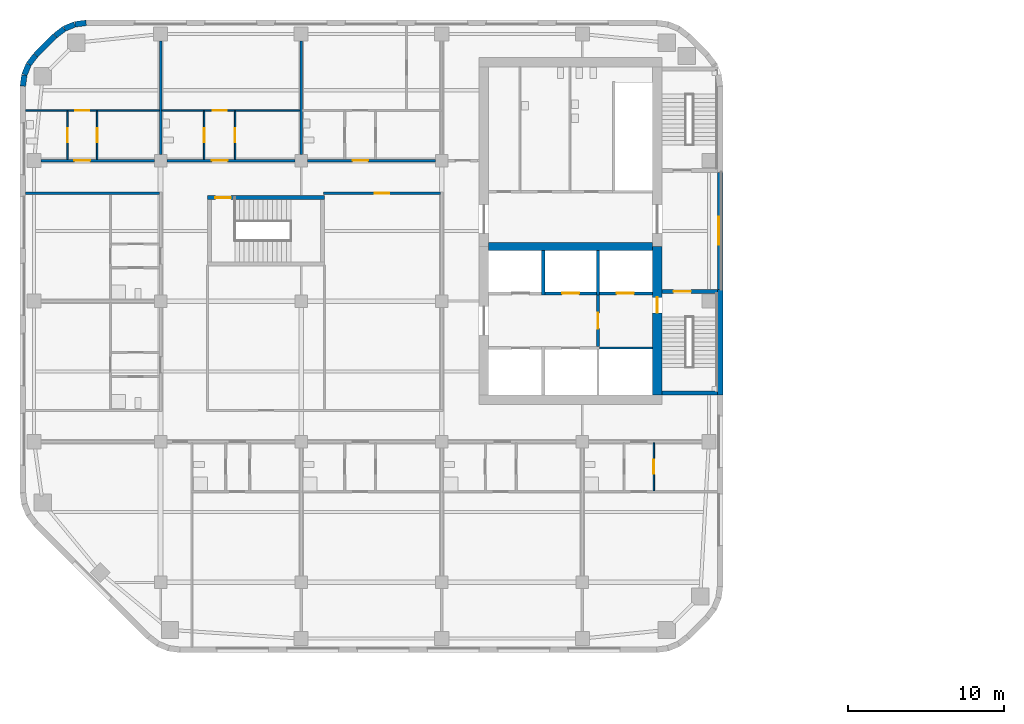
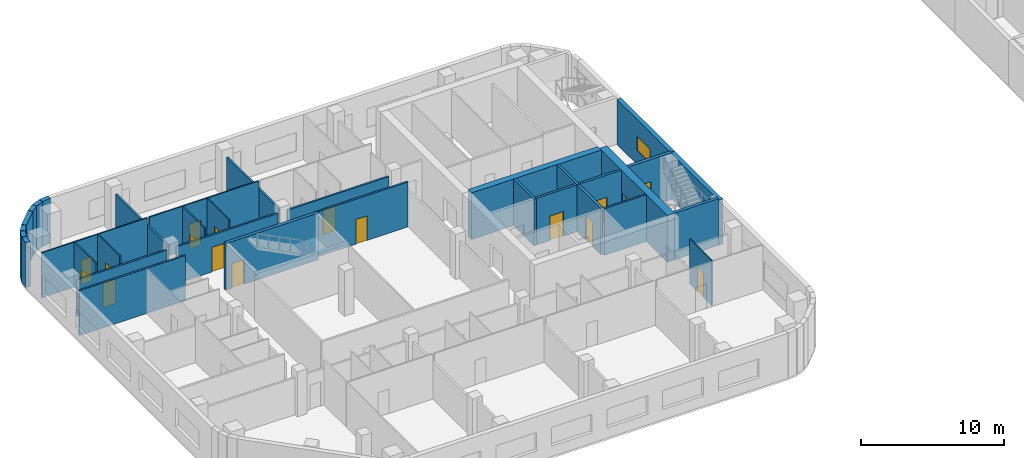
# One storey, part 7 of 16: 34 walls, 17 doors, 1 window, 18 openings.
"""IFC4 building model written with IfcOpenShell, lengths in metres."""

from ifc_helpers import new_model, si_unit, direction, frame, frame_2d, origin, place, context, subcontext, project, spatial, rectangle, extrude, material, layer, layer_set, type_object, element, fill, save


model = new_model("IFC4")

# Units and contexts
model_context = context("Model", 3, precision=1e-05, world=origin(), true_north=direction((0.0, 1.0)))
body_context = subcontext(model_context, "Body", "Model", "MODEL_VIEW")
ifc_project = project(units=[si_unit("LENGTHUNIT", "METRE"), si_unit("AREAUNIT", "SQUARE_METRE"), si_unit("VOLUMEUNIT", "CUBIC_METRE"), si_unit("PLANEANGLEUNIT", "RADIAN"), si_unit("MASSUNIT", "GRAM", prefix="KILO")], contexts=[model_context])

# Site, building, storey
site_placement = place(None, origin())
site = spatial("IfcSite", under=ifc_project, at=site_placement, CompositionType="ELEMENT")
building_placement = place(site_placement, origin())
building = spatial("IfcBuilding", under=site, at=building_placement, Name="Cinnabar Reach Civic Tower", CompositionType="ELEMENT")
storey_placement = place(building_placement, frame((0.0, 0.0, 30.0)))
storey = spatial("IfcBuildingStorey", under=building, at=storey_placement, Name="L06", CompositionType="ELEMENT", Elevation=30.0)

# Walls
ifc_material_1 = material(Name="Facing brick with insulated backing", Category="masonry")
ifc_layer_1 = layer(ifc_material_1, 0.36)
ifc_layer_set_1 = layer_set([ifc_layer_1], Name="Brick corner wall")
wall_type_1 = type_object("IfcWallType", Name="Brick corner wall", PredefinedType="STANDARD", material=ifc_layer_set_1)
for number, where, z_axis, x_axis, name in (
    (1, (-67.7686, 44.817, 0.0), (0.0, 0.0, 1.0), (-0.99144092581, -0.13055608231, 0.0), "Brick corner wall"),
    (2, (-68.4973, 44.7181, 0.0), (0.0, 0.0, 1.0), (-0.923871547278, -0.382702709855, 0.0), "Brick corner wall"),
):
    element("IfcWall", number, at=place(storey_placement, frame(where, z_axis=z_axis, x_axis=x_axis)), inside=storey, type_object=wall_type_1, Name=name, PredefinedType="STANDARD", context=body_context, shape_type="SweptSolid", body=[
        extrude(rectangle(XDim=0.7131, YDim=0.36, at=frame_2d((0.3565, 0.0))), origin(), (0.0, 0.0, 1.0), 3.85),
    ])
for number, where, z_axis, x_axis, name in (
    (3, (-69.1755, 44.434, 0.0), (0.0, 0.0, 1.0), (-0.793321924995, -0.608802368033, 0.0), "Brick corner wall"),
    (4, (-70.9998, 42.7413, 0.0), (0.0, 0.0, 1.0), (-0.608802368033, -0.793321924995, 0.0), "Brick corner wall"),
):
    element("IfcWall", number, at=place(storey_placement, frame(where, z_axis=z_axis, x_axis=x_axis)), inside=storey, type_object=wall_type_1, Name=name, PredefinedType="STANDARD", context=body_context, shape_type="SweptSolid", body=[
        extrude(rectangle(XDim=0.7132, YDim=0.36, at=frame_2d((0.3566, 0.0))), origin(), (0.0, 0.0, 1.0), 3.85),
    ])
for number, where, z_axis, x_axis, name in (
    (5, (-71.4452, 42.1561, 0.0), (0.0, 0.0, 1.0), (-0.382702709855, -0.923871547278, 0.0), "Brick corner wall"),
    (6, (-71.7239, 41.4756, 0.0), (0.0, 0.0, 1.0), (-0.13055608231, -0.99144092581, 0.0), "Brick corner wall"),
):
    element("IfcWall", number, at=place(storey_placement, frame(where, z_axis=z_axis, x_axis=x_axis)), inside=storey, type_object=wall_type_1, Name=name, PredefinedType="STANDARD", context=body_context, shape_type="SweptSolid", body=[
        extrude(rectangle(XDim=0.7131, YDim=0.36, at=frame_2d((0.3565, 0.0))), origin(), (0.0, 0.0, 1.0), 3.85),
    ])
ifc_layer_2 = layer(ifc_material_1, 0.36)
ifc_layer_set_2 = layer_set([ifc_layer_2], Name="Brick pier and spandrel wall")
wall_type_2 = type_object("IfcWallType", Name="Brick pier and spandrel wall", PredefinedType="STANDARD", material=ifc_layer_set_2)
wall_1_placement = place(storey_placement, frame((-27.18, 21.0, 0.0), z_axis=(0.0, 0.0, 1.0), x_axis=(0.0, 1.0, 0.0)))
element("IfcWall", 7, at=wall_1_placement, inside=storey, type_object=wall_type_2, Name="Brick facade wall", PredefinedType="STANDARD", context=body_context, shape_type="SweptSolid", body=[
    extrude(rectangle(XDim=6.75, YDim=0.36, at=frame_2d((3.375, 0.0))), origin(), (0.0, 0.0, 1.0), 3.85),
])

# Wall, opening, window
wall_2_placement = place(storey_placement, frame((-27.18, 27.75, 0.0), z_axis=(0.0, 0.0, 1.0), x_axis=(0.0, 1.0, 0.0)))
wall_2 = element("IfcWall", 8, at=wall_2_placement, inside=storey, type_object=wall_type_2, Name="Brick facade wall", PredefinedType="STANDARD", context=body_context, shape_type="SweptSolid", body=[
    extrude(rectangle(XDim=7.5, YDim=0.36, at=frame_2d((3.75, 0.0))), origin(), (0.0, 0.0, 1.0), 3.85),
])
opening_1_placement = place(wall_2_placement, frame((2.85, 0.0, 1.2)))
opening_1 = element("IfcOpeningElement", 9, at=opening_1_placement, cuts=wall_2, Name="Opening W2380", PredefinedType="OPENING", context=body_context, shape_type="SweptSolid", body=[
    extrude(rectangle(XDim=1.8, YDim=1.2, at=frame_2d((0.9, 0.6))), frame((0.0, 0.19, 0.0), z_axis=(0.0, -1.0, 0.0), x_axis=(1.0, 0.0, 0.0)), (0.0, 0.0, 1.0), 0.38),
])
ifc_material_2 = material(Name="Clear double glazing in aluminium frame", Category="aluminium")
window_type = type_object("IfcWindowType", Name="Deep-set window C", PartitioningType="SINGLE_PANEL", PredefinedType="WINDOW", material=ifc_material_2)
window_placement = place(opening_1_placement, origin())
window = element("IfcWindow", 10, at=window_placement, inside=storey, type_object=window_type, Name="Window east face", OverallHeight=1.2, OverallWidth=1.8, PartitioningType="SINGLE_PANEL", PredefinedType="WINDOW", context=body_context, shape_type="SweptSolid", body=[
    extrude(rectangle(XDim=1.8, YDim=1.2, at=frame_2d((0.9, 0.6))), frame((0.0, 0.13, 0.0), z_axis=(0.0, -1.0, 0.0), x_axis=(1.0, 0.0, 0.0)), (0.0, 0.0, 1.0), 0.06),
])
fill(opening_1, window)

# Walls
wall_3_placement = place(storey_placement, frame((-69.7514, 43.994, 0.0), z_axis=(0.0, 0.0, 1.0), x_axis=(-0.707106781187, -0.707106781187, 0.0)))
element("IfcWall", 11, at=wall_3_placement, inside=storey, type_object=wall_type_2, Name="Brick facade wall", PredefinedType="STANDARD", context=body_context, shape_type="SweptSolid", body=[
    extrude(rectangle(XDim=1.7573, YDim=0.36, at=frame_2d((0.8787, 0.0))), origin(), (0.0, 0.0, 1.0), 3.85),
])
ifc_material_3 = material(Name="Concrete C60", Category="concrete")
ifc_layer_3 = layer(ifc_material_3, 0.5)
ifc_layer_set_3 = layer_set([ifc_layer_3], Name="Core wall 500 EI 180")
wall_type_3 = type_object("IfcWallType", Name="Core wall 500 EI 180", PredefinedType="SOLIDWALL", material=ifc_layer_set_3)
wall_4_placement = place(storey_placement, frame((-42.0, 30.5, 0.0), z_axis=(0.0, 0.0, 1.0), x_axis=(1.0, 0.0, 0.0)))
element("IfcWall", 12, at=wall_4_placement, inside=storey, type_object=wall_type_3, Name="Core spine wall T2 L06", PredefinedType="SOLIDWALL", context=body_context, shape_type="SweptSolid", body=[
    extrude(rectangle(XDim=10.5, YDim=0.5, at=frame_2d((5.25, 0.0))), origin(), (0.0, 0.0, 1.0), 4.0),
])

# Wall, opening, door
ifc_material_4 = material(Name="Concrete C70", Category="concrete")
ifc_layer_4 = layer(ifc_material_4, 0.6)
ifc_layer_set_4 = layer_set([ifc_layer_4], Name="Core wall 600 EI 180")
wall_type_4 = type_object("IfcWallType", Name="Core wall 600 EI 180", PredefinedType="SOLIDWALL", material=ifc_layer_set_4)
wall_5_placement = place(storey_placement, frame((-31.2, 21.0, 0.0), z_axis=(0.0, 0.0, 1.0), x_axis=(0.0, 1.0, 0.0)))
wall_5 = element("IfcWall", 13, at=wall_5_placement, inside=storey, type_object=wall_type_4, Name="Core wall T2 L06 E", PredefinedType="SOLIDWALL", context=body_context, shape_type="SweptSolid", body=[
    extrude(rectangle(XDim=9.5, YDim=0.6, at=frame_2d((4.75, 0.0))), origin(), (0.0, 0.0, 1.0), 4.0),
])
opening_2_placement = place(wall_5_placement, frame((5.25, 0.0, 0.0)))
opening_2 = element("IfcOpeningElement", 14, at=opening_2_placement, cuts=wall_5, Name="Opening D6153", PredefinedType="OPENING", context=body_context, shape_type="SweptSolid", body=[
    extrude(rectangle(XDim=1.0, YDim=2.1, at=frame_2d((0.5, 1.05))), frame((0.0, 0.31, 0.0), z_axis=(0.0, -1.0, 0.0), x_axis=(1.0, 0.0, 0.0)), (0.0, 0.0, 1.0), 0.62),
])
ifc_material_5 = material(Name="Steel fire door", Category="steel")
door_type_1 = type_object("IfcDoorType", Name="T2 Firefighting lobby door 1000", OperationType="SINGLE_SWING_LEFT", PredefinedType="DOOR", material=ifc_material_5)
door_1_placement = place(opening_2_placement, frame((1.0, 0.0, 0.0), z_axis=(0.0, 0.0, 1.0), x_axis=(-1.0, 0.0, 0.0)))
door_1 = element("IfcDoor", 15, at=door_1_placement, inside=storey, type_object=door_type_1, Name="T2 Firefighting lobby door D6153", OperationType="SINGLE_SWING_LEFT", OverallHeight=2.1, OverallWidth=1.0, PredefinedType="DOOR", context=body_context, shape_type="SweptSolid", body=[
    extrude(rectangle(XDim=1.0, YDim=2.1, at=frame_2d((0.5, 1.05))), frame((0.0, 0.025, 0.0), z_axis=(0.0, -1.0, 0.0), x_axis=(1.0, 0.0, 0.0)), (0.0, 0.0, 1.0), 0.05),
])
fill(opening_2, door_1)

ifc_material_6 = material(Name="Gypsum board on steel studs, double layer", Category="steel")
ifc_layer_5 = layer(ifc_material_6, 0.15)
ifc_layer_set_5 = layer_set([ifc_layer_5], Name="Corridor wall 150 T2")
wall_type_5 = type_object("IfcWallType", Name="Corridor wall 150 T2", PredefinedType="PARTITIONING", material=ifc_layer_set_5)
wall_6_placement = place(storey_placement, frame((-53.6, 36.0, 0.0), z_axis=(0.0, 0.0, 1.0), x_axis=(1.0, 0.0, 0.0)))
wall_6 = element("IfcWall", 16, at=wall_6_placement, inside=storey, type_object=wall_type_5, Name="Corridor wall 7", PredefinedType="PARTITIONING", context=body_context, shape_type="SweptSolid", body=[
    extrude(rectangle(XDim=8.2, YDim=0.15, at=frame_2d((4.1, 0.0))), origin(), (0.0, 0.0, 1.0), 3.15),
])
opening_3_placement = place(wall_6_placement, frame((2.89, 0.0, 0.0)))
opening_3 = element("IfcOpeningElement", 17, at=opening_3_placement, cuts=wall_6, Name="Opening D6192", PredefinedType="OPENING", context=body_context, shape_type="SweptSolid", body=[
    extrude(rectangle(XDim=1.0, YDim=2.1, at=frame_2d((0.5, 1.05))), frame((0.0, 0.085, 0.0), z_axis=(0.0, -1.0, 0.0), x_axis=(1.0, 0.0, 0.0)), (0.0, 0.0, 1.0), 0.17),
])
ifc_material_7 = material(Name="Timber door leaf in steel frame", Category="steel")
door_type_2 = type_object("IfcDoorType", Name="Tenancy entrance door 1000 x 2100 T2", OperationType="SINGLE_SWING_LEFT", PredefinedType="DOOR", material=ifc_material_7)
door_2_placement = place(opening_3_placement, origin())
door_2 = element("IfcDoor", 18, at=door_2_placement, inside=storey, type_object=door_type_2, Name="Door D6192", OperationType="SINGLE_SWING_RIGHT", OverallHeight=2.1, OverallWidth=1.0, PredefinedType="DOOR", context=body_context, shape_type="SweptSolid", body=[
    extrude(rectangle(XDim=1.0, YDim=2.1, at=frame_2d((0.5, 1.05))), frame((0.0, 0.025, 0.0), z_axis=(0.0, -1.0, 0.0), x_axis=(1.0, 0.0, 0.0)), (0.0, 0.0, 1.0), 0.05),
])
fill(opening_3, door_2)

wall_7_placement = place(storey_placement, frame((-62.6, 36.0, 0.0), z_axis=(0.0, 0.0, 1.0), x_axis=(1.0, 0.0, 0.0)))
wall_7 = element("IfcWall", 19, at=wall_7_placement, inside=storey, type_object=wall_type_5, Name="Corridor wall 8", PredefinedType="PARTITIONING", context=body_context, shape_type="SweptSolid", body=[
    extrude(rectangle(XDim=8.2, YDim=0.15, at=frame_2d((4.1, 0.0))), origin(), (0.0, 0.0, 1.0), 3.15),
])
opening_4_placement = place(wall_7_placement, frame((2.89, 0.0, 0.0)))
opening_4 = element("IfcOpeningElement", 20, at=opening_4_placement, cuts=wall_7, Name="Opening D6187", PredefinedType="OPENING", context=body_context, shape_type="SweptSolid", body=[
    extrude(rectangle(XDim=1.0, YDim=2.1, at=frame_2d((0.5, 1.05))), frame((0.0, 0.085, 0.0), z_axis=(0.0, -1.0, 0.0), x_axis=(1.0, 0.0, 0.0)), (0.0, 0.0, 1.0), 0.17),
])
door_3_placement = place(opening_4_placement, origin())
door_3 = element("IfcDoor", 21, at=door_3_placement, inside=storey, type_object=door_type_2, Name="Door D6187", OperationType="SINGLE_SWING_RIGHT", OverallHeight=2.1, OverallWidth=1.0, PredefinedType="DOOR", context=body_context, shape_type="SweptSolid", body=[
    extrude(rectangle(XDim=1.0, YDim=2.1, at=frame_2d((0.5, 1.05))), frame((0.0, 0.025, 0.0), z_axis=(0.0, -1.0, 0.0), x_axis=(1.0, 0.0, 0.0)), (0.0, 0.0, 1.0), 0.05),
])
fill(opening_4, door_3)

wall_8_placement = place(storey_placement, frame((-70.65, 36.0, 0.0), z_axis=(0.0, 0.0, 1.0), x_axis=(1.0, 0.0, 0.0)))
wall_8 = element("IfcWall", 22, at=wall_8_placement, inside=storey, type_object=wall_type_5, Name="Corridor wall 9", PredefinedType="PARTITIONING", context=body_context, shape_type="SweptSolid", body=[
    extrude(rectangle(XDim=7.25, YDim=0.15, at=frame_2d((3.625, 0.0))), origin(), (0.0, 0.0, 1.0), 3.15),
])
opening_5_placement = place(wall_8_placement, frame((2.1384, 0.0, 0.0)))
opening_5 = element("IfcOpeningElement", 23, at=opening_5_placement, cuts=wall_8, Name="Opening D6183", PredefinedType="OPENING", context=body_context, shape_type="SweptSolid", body=[
    extrude(rectangle(XDim=1.0, YDim=2.1, at=frame_2d((0.5, 1.05))), frame((0.0, 0.085, 0.0), z_axis=(0.0, -1.0, 0.0), x_axis=(1.0, 0.0, 0.0)), (0.0, 0.0, 1.0), 0.17),
])
door_4_placement = place(opening_5_placement, origin())
door_4 = element("IfcDoor", 24, at=door_4_placement, inside=storey, type_object=door_type_2, Name="Door D6183", OperationType="SINGLE_SWING_LEFT", OverallHeight=2.1, OverallWidth=1.0, PredefinedType="DOOR", context=body_context, shape_type="SweptSolid", body=[
    extrude(rectangle(XDim=1.0, YDim=2.1, at=frame_2d((0.5, 1.05))), frame((0.0, 0.025, 0.0), z_axis=(0.0, -1.0, 0.0), x_axis=(1.0, 0.0, 0.0)), (0.0, 0.0, 1.0), 0.05),
])
fill(opening_5, door_4)

# Wall
wall_9_placement = place(storey_placement, frame((-71.64, 33.9, 0.0), z_axis=(0.0, 0.0, 1.0), x_axis=(1.0, 0.0, 0.0)))
element("IfcWall", 25, at=wall_9_placement, inside=storey, type_object=wall_type_5, Name="Corridor wall 17", PredefinedType="PARTITIONING", context=body_context, shape_type="SweptSolid", body=[
    extrude(rectangle(XDim=8.565, YDim=0.15, at=frame_2d((4.2825, 0.0))), origin(), (0.0, 0.0, 1.0), 3.85),
])

# Wall, opening, door
wall_10_placement = place(storey_placement, frame((-52.575, 33.9, 0.0), z_axis=(0.0, 0.0, 1.0), x_axis=(1.0, 0.0, 0.0)))
wall_10 = element("IfcWall", 26, at=wall_10_placement, inside=storey, type_object=wall_type_5, Name="Corridor wall 18", PredefinedType="PARTITIONING", context=body_context, shape_type="SweptSolid", body=[
    extrude(rectangle(XDim=7.5, YDim=0.15, at=frame_2d((3.75, 0.0))), origin(), (0.0, 0.0, 1.0), 3.85),
])
opening_6_placement = place(wall_10_placement, frame((3.3, 0.0, 0.0)))
opening_6 = element("IfcOpeningElement", 27, at=opening_6_placement, cuts=wall_10, Name="Opening D6202", PredefinedType="OPENING", context=body_context, shape_type="SweptSolid", body=[
    extrude(rectangle(XDim=0.9, YDim=2.1, at=frame_2d((0.45, 1.05))), frame((0.0, 0.085, 0.0), z_axis=(0.0, -1.0, 0.0), x_axis=(1.0, 0.0, 0.0)), (0.0, 0.0, 1.0), 0.17),
])
door_type_3 = type_object("IfcDoorType", Name="Single swing door 900 x 2100 T2", OperationType="SINGLE_SWING_LEFT", PredefinedType="DOOR", material=ifc_material_7)
door_5_placement = place(opening_6_placement, frame((0.9, 0.0, 0.0), z_axis=(0.0, 0.0, 1.0), x_axis=(-1.0, 0.0, 0.0)))
door_5 = element("IfcDoor", 28, at=door_5_placement, inside=storey, type_object=door_type_3, Name="Door D6202", OperationType="SINGLE_SWING_RIGHT", OverallHeight=2.1, OverallWidth=0.9, PredefinedType="DOOR", context=body_context, shape_type="SweptSolid", body=[
    extrude(rectangle(XDim=0.9, YDim=2.1, at=frame_2d((0.45, 1.05))), frame((0.0, 0.025, 0.0), z_axis=(0.0, -1.0, 0.0), x_axis=(1.0, 0.0, 0.0)), (0.0, 0.0, 1.0), 0.05),
])
fill(opening_6, door_5)

ifc_material_8 = material(Name="Gypsum board on steel studs", Category="steel")
ifc_layer_6 = layer(ifc_material_8, 0.1)
ifc_layer_set_6 = layer_set([ifc_layer_6], Name="Partition wall 100 T2")
wall_type_6 = type_object("IfcWallType", Name="Partition wall 100 T2", PredefinedType="PARTITIONING", material=ifc_layer_set_6)
wall_11_placement = place(storey_placement, frame((-62.925, 39.2, 0.0), z_axis=(0.0, 0.0, 1.0), x_axis=(1.0, 0.0, 0.0)))
wall_11 = element("IfcWall", 29, at=wall_11_placement, inside=storey, type_object=wall_type_6, Name="Partition wall 33", PredefinedType="PARTITIONING", context=body_context, shape_type="SweptSolid", body=[
    extrude(rectangle(XDim=8.85, YDim=0.1, at=frame_2d((4.425, 0.0))), origin(), (0.0, 0.0, 1.0), 3.85),
])
opening_7_placement = place(wall_11_placement, frame((3.265, 0.0, 0.0)))
opening_7 = element("IfcOpeningElement", 30, at=opening_7_placement, cuts=wall_11, Name="Opening D6186", PredefinedType="OPENING", context=body_context, shape_type="SweptSolid", body=[
    extrude(rectangle(XDim=0.9, YDim=2.1, at=frame_2d((0.45, 1.05))), frame((0.0, 0.06, 0.0), z_axis=(0.0, -1.0, 0.0), x_axis=(1.0, 0.0, 0.0)), (0.0, 0.0, 1.0), 0.12),
])
door_6_placement = place(opening_7_placement, frame((0.9, 0.0, 0.0), z_axis=(0.0, 0.0, 1.0), x_axis=(-1.0, 0.0, 0.0)))
door_6 = element("IfcDoor", 31, at=door_6_placement, inside=storey, type_object=door_type_3, Name="Door D6186", OperationType="SINGLE_SWING_LEFT", OverallHeight=2.1, OverallWidth=0.9, PredefinedType="DOOR", context=body_context, shape_type="SweptSolid", body=[
    extrude(rectangle(XDim=0.9, YDim=2.1, at=frame_2d((0.45, 1.05))), frame((0.0, 0.025, 0.0), z_axis=(0.0, -1.0, 0.0), x_axis=(1.0, 0.0, 0.0)), (0.0, 0.0, 1.0), 0.05),
])
fill(opening_7, door_6)

wall_12_placement = place(storey_placement, frame((-71.64, 39.2, 0.0), z_axis=(0.0, 0.0, 1.0), x_axis=(1.0, 0.0, 0.0)))
wall_12 = element("IfcWall", 32, at=wall_12_placement, inside=storey, type_object=wall_type_6, Name="Partition wall 34", PredefinedType="PARTITIONING", context=body_context, shape_type="SweptSolid", body=[
    extrude(rectangle(XDim=8.565, YDim=0.1, at=frame_2d((4.2825, 0.0))), origin(), (0.0, 0.0, 1.0), 3.85),
])
opening_8_placement = place(wall_12_placement, frame((3.1784, 0.0, 0.0)))
opening_8 = element("IfcOpeningElement", 33, at=opening_8_placement, cuts=wall_12, Name="Opening D6182", PredefinedType="OPENING", context=body_context, shape_type="SweptSolid", body=[
    extrude(rectangle(XDim=0.9, YDim=2.1, at=frame_2d((0.45, 1.05))), frame((0.0, 0.06, 0.0), z_axis=(0.0, -1.0, 0.0), x_axis=(1.0, 0.0, 0.0)), (0.0, 0.0, 1.0), 0.12),
])
door_7_placement = place(opening_8_placement, frame((0.9, 0.0, 0.0), z_axis=(0.0, 0.0, 1.0), x_axis=(-1.0, 0.0, 0.0)))
door_7 = element("IfcDoor", 34, at=door_7_placement, inside=storey, type_object=door_type_3, Name="Door D6182", OperationType="SINGLE_SWING_RIGHT", OverallHeight=2.1, OverallWidth=0.9, PredefinedType="DOOR", context=body_context, shape_type="SweptSolid", body=[
    extrude(rectangle(XDim=0.9, YDim=2.1, at=frame_2d((0.45, 1.05))), frame((0.0, 0.025, 0.0), z_axis=(0.0, -1.0, 0.0), x_axis=(1.0, 0.0, 0.0)), (0.0, 0.0, 1.0), 0.05),
])
fill(opening_8, door_7)

wall_13_placement = place(storey_placement, frame((-68.9616, 36.075, 0.0), z_axis=(0.0, 0.0, 1.0), x_axis=(0.0, 1.0, 0.0)))
wall_13 = element("IfcWall", 35, at=wall_13_placement, inside=storey, type_object=wall_type_6, Name="Partition wall 47", PredefinedType="PARTITIONING", context=body_context, shape_type="SweptSolid", body=[
    extrude(rectangle(XDim=3.075, YDim=0.1, at=frame_2d((1.5375, 0.0))), origin(), (0.0, 0.0, 1.0), 3.85),
])
opening_9_placement = place(wall_13_placement, frame((1.1, 0.0, 0.0)))
opening_9 = element("IfcOpeningElement", 36, at=opening_9_placement, cuts=wall_13, Name="Opening D6180", PredefinedType="OPENING", context=body_context, shape_type="SweptSolid", body=[
    extrude(rectangle(XDim=0.9, YDim=2.1, at=frame_2d((0.45, 1.05))), frame((0.0, 0.06, 0.0), z_axis=(0.0, -1.0, 0.0), x_axis=(1.0, 0.0, 0.0)), (0.0, 0.0, 1.0), 0.12),
])
door_8_placement = place(opening_9_placement, origin())
door_8 = element("IfcDoor", 37, at=door_8_placement, inside=storey, type_object=door_type_3, Name="Door D6180", OperationType="SINGLE_SWING_RIGHT", OverallHeight=2.1, OverallWidth=0.9, PredefinedType="DOOR", context=body_context, shape_type="SweptSolid", body=[
    extrude(rectangle(XDim=0.9, YDim=2.1, at=frame_2d((0.45, 1.05))), frame((0.0, 0.025, 0.0), z_axis=(0.0, -1.0, 0.0), x_axis=(1.0, 0.0, 0.0)), (0.0, 0.0, 1.0), 0.05),
])
fill(opening_9, door_8)

wall_14_placement = place(storey_placement, frame((-67.0608, 36.075, 0.0), z_axis=(0.0, 0.0, 1.0), x_axis=(0.0, 1.0, 0.0)))
wall_14 = element("IfcWall", 38, at=wall_14_placement, inside=storey, type_object=wall_type_6, Name="Partition wall 48", PredefinedType="PARTITIONING", context=body_context, shape_type="SweptSolid", body=[
    extrude(rectangle(XDim=3.075, YDim=0.1, at=frame_2d((1.5375, 0.0))), origin(), (0.0, 0.0, 1.0), 3.85),
])
opening_10_placement = place(wall_14_placement, frame((1.1, 0.0, 0.0)))
opening_10 = element("IfcOpeningElement", 39, at=opening_10_placement, cuts=wall_14, Name="Opening D6181", PredefinedType="OPENING", context=body_context, shape_type="SweptSolid", body=[
    extrude(rectangle(XDim=0.9, YDim=2.1, at=frame_2d((0.45, 1.05))), frame((0.0, 0.06, 0.0), z_axis=(0.0, -1.0, 0.0), x_axis=(1.0, 0.0, 0.0)), (0.0, 0.0, 1.0), 0.12),
])
door_9_placement = place(opening_10_placement, origin())
door_9 = element("IfcDoor", 40, at=door_9_placement, inside=storey, type_object=door_type_3, Name="Door D6181", OperationType="SINGLE_SWING_LEFT", OverallHeight=2.1, OverallWidth=0.9, PredefinedType="DOOR", context=body_context, shape_type="SweptSolid", body=[
    extrude(rectangle(XDim=0.9, YDim=2.1, at=frame_2d((0.45, 1.05))), frame((0.0, 0.025, 0.0), z_axis=(0.0, -1.0, 0.0), x_axis=(1.0, 0.0, 0.0)), (0.0, 0.0, 1.0), 0.05),
])
fill(opening_10, door_9)

wall_15_placement = place(storey_placement, frame((-60.21, 36.075, 0.0), z_axis=(0.0, 0.0, 1.0), x_axis=(0.0, 1.0, 0.0)))
wall_15 = element("IfcWall", 41, at=wall_15_placement, inside=storey, type_object=wall_type_6, Name="Partition wall 49", PredefinedType="PARTITIONING", context=body_context, shape_type="SweptSolid", body=[
    extrude(rectangle(XDim=3.075, YDim=0.1, at=frame_2d((1.5375, 0.0))), origin(), (0.0, 0.0, 1.0), 3.85),
])
opening_11_placement = place(wall_15_placement, frame((1.1, 0.0, 0.0)))
opening_11 = element("IfcOpeningElement", 42, at=opening_11_placement, cuts=wall_15, Name="Opening D6184", PredefinedType="OPENING", context=body_context, shape_type="SweptSolid", body=[
    extrude(rectangle(XDim=0.9, YDim=2.1, at=frame_2d((0.45, 1.05))), frame((0.0, 0.06, 0.0), z_axis=(0.0, -1.0, 0.0), x_axis=(1.0, 0.0, 0.0)), (0.0, 0.0, 1.0), 0.12),
])
door_10_placement = place(opening_11_placement, origin())
door_10 = element("IfcDoor", 43, at=door_10_placement, inside=storey, type_object=door_type_3, Name="Door D6184", OperationType="SINGLE_SWING_RIGHT", OverallHeight=2.1, OverallWidth=0.9, PredefinedType="DOOR", context=body_context, shape_type="SweptSolid", body=[
    extrude(rectangle(XDim=0.9, YDim=2.1, at=frame_2d((0.45, 1.05))), frame((0.0, 0.025, 0.0), z_axis=(0.0, -1.0, 0.0), x_axis=(1.0, 0.0, 0.0)), (0.0, 0.0, 1.0), 0.05),
])
fill(opening_11, door_10)

wall_16_placement = place(storey_placement, frame((-58.23, 36.075, 0.0), z_axis=(0.0, 0.0, 1.0), x_axis=(0.0, 1.0, 0.0)))
wall_16 = element("IfcWall", 44, at=wall_16_placement, inside=storey, type_object=wall_type_6, Name="Partition wall 50", PredefinedType="PARTITIONING", context=body_context, shape_type="SweptSolid", body=[
    extrude(rectangle(XDim=3.075, YDim=0.1, at=frame_2d((1.5375, 0.0))), origin(), (0.0, 0.0, 1.0), 3.85),
])
opening_12_placement = place(wall_16_placement, frame((1.1, 0.0, 0.0)))
opening_12 = element("IfcOpeningElement", 45, at=opening_12_placement, cuts=wall_16, Name="Opening D6185", PredefinedType="OPENING", context=body_context, shape_type="SweptSolid", body=[
    extrude(rectangle(XDim=0.9, YDim=2.1, at=frame_2d((0.45, 1.05))), frame((0.0, 0.06, 0.0), z_axis=(0.0, -1.0, 0.0), x_axis=(1.0, 0.0, 0.0)), (0.0, 0.0, 1.0), 0.12),
])
door_11_placement = place(opening_12_placement, origin())
door_11 = element("IfcDoor", 46, at=door_11_placement, inside=storey, type_object=door_type_3, Name="Door D6185", OperationType="SINGLE_SWING_LEFT", OverallHeight=2.1, OverallWidth=0.9, PredefinedType="DOOR", context=body_context, shape_type="SweptSolid", body=[
    extrude(rectangle(XDim=0.9, YDim=2.1, at=frame_2d((0.45, 1.05))), frame((0.0, 0.025, 0.0), z_axis=(0.0, -1.0, 0.0), x_axis=(1.0, 0.0, 0.0)), (0.0, 0.0, 1.0), 0.05),
])
fill(opening_12, door_11)

wall_17_placement = place(storey_placement, frame((-31.4208, 14.85, 0.0), z_axis=(0.0, 0.0, 1.0), x_axis=(0.0, 1.0, 0.0)))
wall_17 = element("IfcWall", 47, at=wall_17_placement, inside=storey, type_object=wall_type_6, Name="Partition wall 60", PredefinedType="PARTITIONING", context=body_context, shape_type="SweptSolid", body=[
    extrude(rectangle(XDim=3.075, YDim=0.1, at=frame_2d((1.5375, 0.0))), origin(), (0.0, 0.0, 1.0), 3.85),
])
opening_13_placement = place(wall_17_placement, frame((1.1, 0.0, 0.0)))
opening_13 = element("IfcOpeningElement", 48, at=opening_13_placement, cuts=wall_17, Name="Opening D6177", PredefinedType="OPENING", context=body_context, shape_type="SweptSolid", body=[
    extrude(rectangle(XDim=0.9, YDim=2.1, at=frame_2d((0.45, 1.05))), frame((0.0, 0.06, 0.0), z_axis=(0.0, -1.0, 0.0), x_axis=(1.0, 0.0, 0.0)), (0.0, 0.0, 1.0), 0.12),
])
door_12_placement = place(opening_13_placement, origin())
door_12 = element("IfcDoor", 49, at=door_12_placement, inside=storey, type_object=door_type_3, Name="Door D6177", OperationType="SINGLE_SWING_LEFT", OverallHeight=2.1, OverallWidth=0.9, PredefinedType="DOOR", context=body_context, shape_type="SweptSolid", body=[
    extrude(rectangle(XDim=0.9, YDim=2.1, at=frame_2d((0.45, 1.05))), frame((0.0, 0.025, 0.0), z_axis=(0.0, -1.0, 0.0), x_axis=(1.0, 0.0, 0.0)), (0.0, 0.0, 1.0), 0.05),
])
fill(opening_13, door_12)

# Wall
ifc_layer_7 = layer(ifc_material_3, 0.25)
ifc_layer_set_7 = layer_set([ifc_layer_7], Name="Stair shaft wall 250 EI 120")
wall_type_7 = type_object("IfcWallType", Name="Stair shaft wall 250 EI 120", PredefinedType="SOLIDWALL", material=ifc_layer_set_7)
wall_18_placement = place(storey_placement, frame((-30.9, 21.125, 0.0), z_axis=(0.0, 0.0, 1.0), x_axis=(1.0, 0.0, 0.0)))
element("IfcWall", 50, at=wall_18_placement, inside=storey, type_object=wall_type_7, Name="Stair shaft wall T2-S1 L06", PredefinedType="SOLIDWALL", context=body_context, shape_type="SweptSolid", body=[
    extrude(rectangle(XDim=3.54, YDim=0.25, at=frame_2d((1.77, 0.0))), origin(), (0.0, 0.0, 1.0), 4.0),
])

# Wall, opening, door
wall_19_placement = place(storey_placement, frame((-27.36, 27.625, 0.0), z_axis=(0.0, 0.0, 1.0), x_axis=(-1.0, 0.0, 0.0)))
wall_19 = element("IfcWall", 51, at=wall_19_placement, inside=storey, type_object=wall_type_7, Name="Stair shaft wall T2-S1 L06", PredefinedType="SOLIDWALL", context=body_context, shape_type="SweptSolid", body=[
    extrude(rectangle(XDim=3.54, YDim=0.25, at=frame_2d((1.77, 0.0))), origin(), (0.0, 0.0, 1.0), 4.0),
])
opening_14_placement = place(wall_19_placement, frame((1.69, 0.0, 0.0)))
opening_14 = element("IfcOpeningElement", 52, at=opening_14_placement, cuts=wall_19, Name="Opening D6154", PredefinedType="OPENING", context=body_context, shape_type="SweptSolid", body=[
    extrude(rectangle(XDim=1.1, YDim=2.1, at=frame_2d((0.55, 1.05))), frame((0.0, 0.135, 0.0), z_axis=(0.0, -1.0, 0.0), x_axis=(1.0, 0.0, 0.0)), (0.0, 0.0, 1.0), 0.27),
])
door_type_4 = type_object("IfcDoorType", Name="T2 Stair door 1100", OperationType="SINGLE_SWING_LEFT", PredefinedType="DOOR", material=ifc_material_5)
door_13_placement = place(opening_14_placement, origin())
door_13 = element("IfcDoor", 53, at=door_13_placement, inside=storey, type_object=door_type_4, Name="T2 Stair door D6154", OperationType="SINGLE_SWING_LEFT", OverallHeight=2.1, OverallWidth=1.1, PredefinedType="DOOR", context=body_context, shape_type="SweptSolid", body=[
    extrude(rectangle(XDim=1.1, YDim=2.1, at=frame_2d((0.55, 1.05))), frame((0.0, 0.025, 0.0), z_axis=(0.0, -1.0, 0.0), x_axis=(1.0, 0.0, 0.0)), (0.0, 0.0, 1.0), 0.05),
])
fill(opening_14, door_13)

wall_20_placement = place(storey_placement, frame((-52.5, 33.625, 0.0), z_axis=(0.0, 0.0, 1.0), x_axis=(-1.0, 0.0, 0.0)))
wall_20 = element("IfcWall", 54, at=wall_20_placement, inside=storey, type_object=wall_type_7, Name="Stair shaft wall T2-S3 L06", PredefinedType="SOLIDWALL", context=body_context, shape_type="SweptSolid", body=[
    extrude(rectangle(XDim=7.5, YDim=0.25, at=frame_2d((3.75, 0.0))), origin(), (0.0, 0.0, 1.0), 4.0),
])
opening_15_placement = place(wall_20_placement, frame((6.0, 0.0, 0.0)))
opening_15 = element("IfcOpeningElement", 55, at=opening_15_placement, cuts=wall_20, Name="Opening D6203", PredefinedType="OPENING", context=body_context, shape_type="SweptSolid", body=[
    extrude(rectangle(XDim=1.0, YDim=2.1, at=frame_2d((0.5, 1.05))), frame((0.0, 0.135, 0.0), z_axis=(0.0, -1.0, 0.0), x_axis=(1.0, 0.0, 0.0)), (0.0, 0.0, 1.0), 0.27),
])
door_type_5 = type_object("IfcDoorType", Name="Stair door 1000 x 2100 T2", OperationType="SINGLE_SWING_LEFT", PredefinedType="DOOR", material=ifc_material_7)
door_14_placement = place(opening_15_placement, origin())
door_14 = element("IfcDoor", 56, at=door_14_placement, inside=storey, type_object=door_type_5, Name="Door D6203", OperationType="SINGLE_SWING_RIGHT", OverallHeight=2.1, OverallWidth=1.0, PredefinedType="DOOR", context=body_context, shape_type="SweptSolid", body=[
    extrude(rectangle(XDim=1.0, YDim=2.1, at=frame_2d((0.5, 1.05))), frame((0.0, 0.025, 0.0), z_axis=(0.0, -1.0, 0.0), x_axis=(1.0, 0.0, 0.0)), (0.0, 0.0, 1.0), 0.05),
])
fill(opening_15, door_14)

# Walls
ifc_material_9 = material(Name="Concrete C40", Category="concrete")
ifc_layer_8 = layer(ifc_material_9, 0.15)
ifc_layer_set_8 = layer_set([ifc_layer_8], Name="T2 Riser wall 150")
wall_type_8 = type_object("IfcWallType", Name="T2 Riser wall 150", PredefinedType="SOLIDWALL", material=ifc_layer_set_8)
wall_21_placement = place(storey_placement, frame((-31.5, 24.0, 0.0), z_axis=(0.0, 0.0, 1.0), x_axis=(-1.0, 0.0, 0.0)))
element("IfcWall", 57, at=wall_21_placement, inside=storey, type_object=wall_type_8, Name="T2 Riser wall L06 011", PredefinedType="SOLIDWALL", context=body_context, shape_type="SweptSolid", body=[
    extrude(rectangle(XDim=3.4, YDim=0.15, at=frame_2d((1.7, 0.0))), origin(), (0.0, 0.0, 1.0), 4.0),
])
ifc_layer_9 = layer(ifc_material_9, 0.2)
ifc_layer_set_9 = layer_set([ifc_layer_9], Name="T2 Shaft wall 200")
wall_type_9 = type_object("IfcWallType", Name="T2 Shaft wall 200", PredefinedType="SOLIDWALL", material=ifc_layer_set_9)
for number, where, z_axis, x_axis, name in (
    (58, (-38.5, 27.4, 0.0), (0.0, 0.0, 1.0), (0.0, 1.0, 0.0), "T2 Shaft wall L06 004"),
    (59, (-35.0, 27.4, 0.0), (0.0, 0.0, 1.0), (0.0, 1.0, 0.0), "T2 Shaft wall L06 006"),
):
    element("IfcWall", number, at=place(storey_placement, frame(where, z_axis=z_axis, x_axis=x_axis)), inside=storey, type_object=wall_type_9, Name=name, PredefinedType="SOLIDWALL", context=body_context, shape_type="SweptSolid", body=[
        extrude(rectangle(XDim=2.85, YDim=0.2, at=frame_2d((1.425, 0.0))), origin(), (0.0, 0.0, 1.0), 4.0),
    ])

# Wall, opening, door
wall_22_placement = place(storey_placement, frame((-38.4, 27.5, 0.0), z_axis=(0.0, 0.0, 1.0), x_axis=(1.0, 0.0, 0.0)))
wall_22 = element("IfcWall", 60, at=wall_22_placement, inside=storey, type_object=wall_type_9, Name="T2 Shaft wall L06 007", PredefinedType="SOLIDWALL", context=body_context, shape_type="SweptSolid", body=[
    extrude(rectangle(XDim=3.3, YDim=0.2, at=frame_2d((1.65, 0.0))), origin(), (0.0, 0.0, 1.0), 4.0),
])
opening_16_placement = place(wall_22_placement, frame((1.1, 0.0, 0.0)))
opening_16 = element("IfcOpeningElement", 61, at=opening_16_placement, cuts=wall_22, Name="Opening D6150", PredefinedType="OPENING", context=body_context, shape_type="SweptSolid", body=[
    extrude(rectangle(XDim=1.1, YDim=2.1, at=frame_2d((0.55, 1.05))), frame((0.0, 0.11, 0.0), z_axis=(0.0, -1.0, 0.0), x_axis=(1.0, 0.0, 0.0)), (0.0, 0.0, 1.0), 0.22),
])
door_type_6 = type_object("IfcDoorType", Name="T2 Lift landing door 1100", OperationType="SLIDING_TO_LEFT", PredefinedType="DOOR", material=ifc_material_5)
door_15_placement = place(opening_16_placement, origin())
door_15 = element("IfcDoor", 62, at=door_15_placement, inside=storey, type_object=door_type_6, Name="T2 Lift landing door D6150", OperationType="SLIDING_TO_LEFT", OverallHeight=2.1, OverallWidth=1.1, PredefinedType="DOOR", context=body_context, shape_type="SweptSolid", body=[
    extrude(rectangle(XDim=1.1, YDim=2.1, at=frame_2d((0.55, 1.05))), frame((0.0, 0.025, 0.0), z_axis=(0.0, -1.0, 0.0), x_axis=(1.0, 0.0, 0.0)), (0.0, 0.0, 1.0), 0.05),
])
fill(opening_16, door_15)

wall_23_placement = place(storey_placement, frame((-34.9, 27.5, 0.0), z_axis=(0.0, 0.0, 1.0), x_axis=(1.0, 0.0, 0.0)))
wall_23 = element("IfcWall", 63, at=wall_23_placement, inside=storey, type_object=wall_type_9, Name="T2 Shaft wall L06 008", PredefinedType="SOLIDWALL", context=body_context, shape_type="SweptSolid", body=[
    extrude(rectangle(XDim=3.4, YDim=0.2, at=frame_2d((1.7, 0.0))), origin(), (0.0, 0.0, 1.0), 4.0),
])
opening_17_placement = place(wall_23_placement, frame((1.1, 0.0, 0.0)))
opening_17 = element("IfcOpeningElement", 64, at=opening_17_placement, cuts=wall_23, Name="Opening D6151", PredefinedType="OPENING", context=body_context, shape_type="SweptSolid", body=[
    extrude(rectangle(XDim=1.1, YDim=2.1, at=frame_2d((0.55, 1.05))), frame((0.0, 0.11, 0.0), z_axis=(0.0, -1.0, 0.0), x_axis=(1.0, 0.0, 0.0)), (0.0, 0.0, 1.0), 0.22),
])
door_type_7 = type_object("IfcDoorType", Name="T2 Firefighting lift landing door 1100", OperationType="SLIDING_TO_LEFT", PredefinedType="DOOR", material=ifc_material_5)
door_16_placement = place(opening_17_placement, origin())
door_16 = element("IfcDoor", 65, at=door_16_placement, inside=storey, type_object=door_type_7, Name="T2 Firefighting lift landing door D6151", OperationType="SLIDING_TO_LEFT", OverallHeight=2.1, OverallWidth=1.1, PredefinedType="DOOR", context=body_context, shape_type="SweptSolid", body=[
    extrude(rectangle(XDim=1.1, YDim=2.1, at=frame_2d((0.55, 1.05))), frame((0.0, 0.025, 0.0), z_axis=(0.0, -1.0, 0.0), x_axis=(1.0, 0.0, 0.0)), (0.0, 0.0, 1.0), 0.05),
])
fill(opening_17, door_16)

wall_24_placement = place(storey_placement, frame((-35.0, 24.1, 0.0), z_axis=(0.0, 0.0, 1.0), x_axis=(0.0, 1.0, 0.0)))
wall_24 = element("IfcWall", 66, at=wall_24_placement, inside=storey, type_object=wall_type_9, Name="T2 Shaft wall L06 009", PredefinedType="SOLIDWALL", context=body_context, shape_type="SweptSolid", body=[
    extrude(rectangle(XDim=3.3, YDim=0.2, at=frame_2d((1.65, 0.0))), origin(), (0.0, 0.0, 1.0), 4.0),
])
opening_18_placement = place(wall_24_placement, frame((1.15, 0.0, 0.0)))
opening_18 = element("IfcOpeningElement", 67, at=opening_18_placement, cuts=wall_24, Name="Opening D6152", PredefinedType="OPENING", context=body_context, shape_type="SweptSolid", body=[
    extrude(rectangle(XDim=1.0, YDim=2.1, at=frame_2d((0.5, 1.05))), frame((0.0, 0.11, 0.0), z_axis=(0.0, -1.0, 0.0), x_axis=(1.0, 0.0, 0.0)), (0.0, 0.0, 1.0), 0.22),
])
door_17_placement = place(opening_18_placement, origin())
door_17 = element("IfcDoor", 68, at=door_17_placement, inside=storey, type_object=door_type_1, Name="T2 Firefighting lobby door D6152", OperationType="SINGLE_SWING_LEFT", OverallHeight=2.1, OverallWidth=1.0, PredefinedType="DOOR", context=body_context, shape_type="SweptSolid", body=[
    extrude(rectangle(XDim=1.0, YDim=2.1, at=frame_2d((0.5, 1.05))), frame((0.0, 0.025, 0.0), z_axis=(0.0, -1.0, 0.0), x_axis=(1.0, 0.0, 0.0)), (0.0, 0.0, 1.0), 0.05),
])
fill(opening_18, door_17)

# Walls
ifc_layer_10 = layer(ifc_material_6, 0.15)
ifc_layer_set_10 = layer_set([ifc_layer_10], Name="Tenancy separating wall 150 T2")
wall_type_10 = type_object("IfcWallType", Name="Tenancy separating wall 150 T2", PredefinedType="PARTITIONING", material=ifc_layer_set_10)
for number, where, z_axis, x_axis, name in (
    (69, (-63.0, 36.4, 0.0), (0.0, 0.0, 1.0), (0.0, 1.0, 0.0), "Tenancy separating wall 26"),
    (70, (-54.0, 36.4, 0.0), (0.0, 0.0, 1.0), (0.0, 1.0, 0.0), "Tenancy separating wall 27"),
):
    element("IfcWall", number, at=place(storey_placement, frame(where, z_axis=z_axis, x_axis=x_axis)), inside=storey, type_object=wall_type_10, Name=name, PredefinedType="PARTITIONING", context=body_context, shape_type="SweptSolid", body=[
        extrude(rectangle(XDim=7.25, YDim=0.15, at=frame_2d((3.625, 0.0))), origin(), (0.0, 0.0, 1.0), 3.158),
    ])

save(model, "model.ifc")
